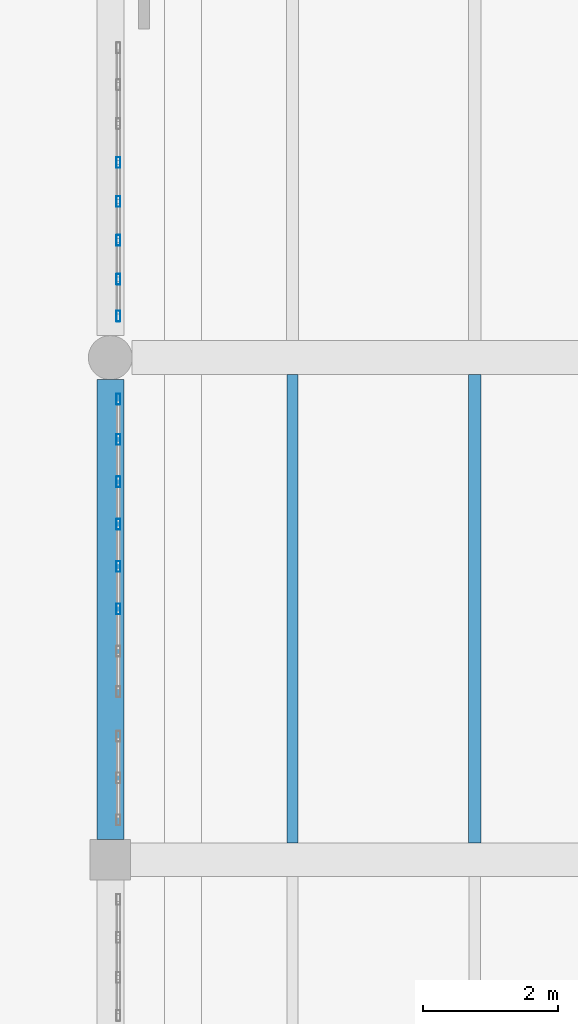
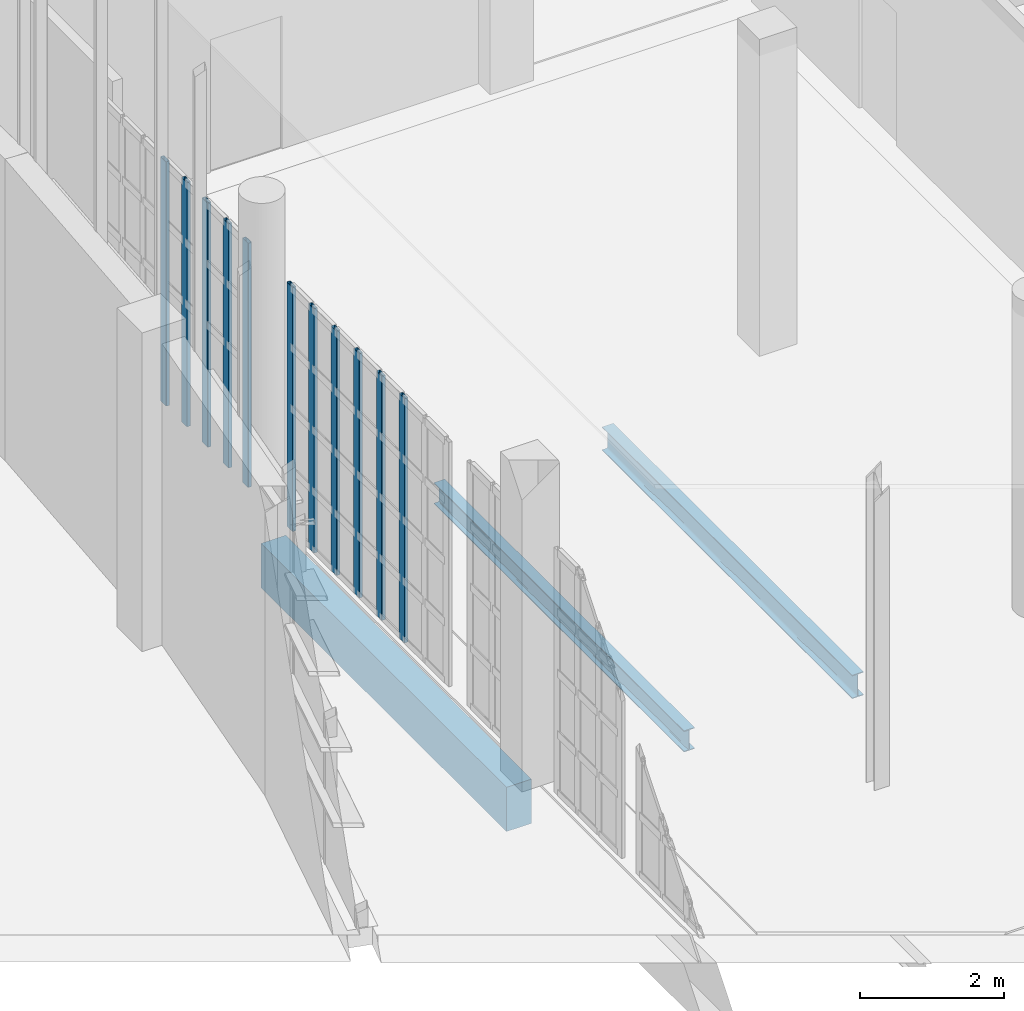
# One storey, part 231 of 372: 11 members, 3 beams, 2 elements without a shape of their own.
"""IFC4 building model written with IfcOpenShell, lengths in metres."""

from ifc_helpers import new_model, si_unit, direction, frame, origin, origin_2d, place, context, subcontext, project, spatial, rectangle, hollow_rectangle, i_section, extrude, material, material_profile, profile_set, type_object, element, aggregate, save


model = new_model("IFC4")

# Units and contexts
model_context = context("Model", 3, precision=1e-05, world=origin(), true_north=direction((0.0, 1.0)))
body_context = subcontext(model_context, "Body", "Model", "MODEL_VIEW")
ifc_project = project(units=[si_unit("LENGTHUNIT", "METRE"), si_unit("AREAUNIT", "SQUARE_METRE"), si_unit("VOLUMEUNIT", "CUBIC_METRE"), si_unit("PLANEANGLEUNIT", "RADIAN"), si_unit("MASSUNIT", "GRAM", prefix="KILO")], contexts=[model_context])

# Site, building, storey
site_placement = place(None, origin())
site = spatial("IfcSite", under=ifc_project, at=site_placement, CompositionType="ELEMENT")
building_placement = place(site_placement, origin())
building = spatial("IfcBuilding", under=site, at=building_placement, Name="Kaelora Sail Theatre", CompositionType="ELEMENT")
storey_placement = place(building_placement, origin())
storey = spatial("IfcBuildingStorey", under=building, at=storey_placement, Name="L00", CompositionType="ELEMENT", Elevation=0.0)

# Curtain wall, members
ifc_material_1 = material(Name="Anodised aluminium and solar-control low-E IGU", Category="aluminium")
curtain_wall_type = type_object("IfcCurtainWallType", Name="ARC-CW-CW-FOY2", PredefinedType="NOTDEFINED", material=ifc_material_1)
curtain_wall_1_placement = place(storey_placement, origin())
curtain_wall_1 = element("IfcCurtainWall", 1, at=curtain_wall_1_placement, inside=storey, type_object=curtain_wall_type, Name="East Interstitial Foyer West Glazed Return L00-03", PredefinedType="NOTDEFINED")
ifc_material_2 = material(Name="Anodised aluminium 6063-T6", Category="aluminium")
ifc_material_profile_1 = material_profile(ifc_material_2, hollow_rectangle(XDim=0.06005859375, YDim=0.159912109375, WallThickness=0.00390625, InnerFilletRadius=0.00390625, OuterFilletRadius=0.008056640625, at=origin_2d()), Name="ALU-MULL 60x160x4")
ifc_profile_set_1 = profile_set([ifc_material_profile_1], Name="Anodised aluminium 6063-T6")
member_type = type_object("IfcMemberType", Name="ARC-MEM-ML-160", PredefinedType="MULLION", material=ifc_profile_set_1)
member_1_placement = place(storey_placement, frame((106.919921875, 49.855712890625, 0.0), z_axis=(0.0, 0.0, 1.0), x_axis=(-1.0, 0.0, 0.0)))
member_1 = element("IfcMember", 2, at=member_1_placement, type_object=member_type, Name="CW-FOY2 mullion 3", PredefinedType="MULLION", context=body_context, shape_type="SweptSolid", body=[
    extrude(hollow_rectangle(XDim=0.06005859375, YDim=0.159912109375, WallThickness=0.00390625, InnerFilletRadius=0.00390625, OuterFilletRadius=0.008056640625, at=origin_2d()), origin(), (0.0, 0.0, 1.0), 4.136962890625),
])
member_2_placement = place(storey_placement, frame((106.919921875, 50.483642578125, 0.0), z_axis=(0.0, 0.0, 1.0), x_axis=(-1.0, 0.0, 0.0)))
member_2 = element("IfcMember", 3, at=member_2_placement, type_object=member_type, Name="CW-FOY2 mullion 4", PredefinedType="MULLION", context=body_context, shape_type="SweptSolid", body=[
    extrude(hollow_rectangle(XDim=0.06005859375, YDim=0.159912109375, WallThickness=0.00390625, InnerFilletRadius=0.00390625, OuterFilletRadius=0.008056640625, at=origin_2d()), origin(), (0.0, 0.0, 1.0), 4.136962890625),
])
member_3_placement = place(storey_placement, frame((106.919921875, 51.111328125, 0.0), z_axis=(0.0, 0.0, 1.0), x_axis=(-1.0, 0.0, 0.0)))
member_3 = element("IfcMember", 4, at=member_3_placement, type_object=member_type, Name="CW-FOY2 mullion 5", PredefinedType="MULLION", context=body_context, shape_type="SweptSolid", body=[
    extrude(hollow_rectangle(XDim=0.06005859375, YDim=0.159912109375, WallThickness=0.00390625, InnerFilletRadius=0.00390625, OuterFilletRadius=0.008056640625, at=origin_2d()), origin(), (0.0, 0.0, 1.0), 4.136962890625),
])
member_4_placement = place(storey_placement, frame((106.919921875, 51.7392578125, 0.0), z_axis=(0.0, 0.0, 1.0), x_axis=(-1.0, 0.0, 0.0)))
member_4 = element("IfcMember", 5, at=member_4_placement, type_object=member_type, Name="CW-FOY2 mullion 6", PredefinedType="MULLION", context=body_context, shape_type="SweptSolid", body=[
    extrude(hollow_rectangle(XDim=0.06005859375, YDim=0.159912109375, WallThickness=0.00390625, InnerFilletRadius=0.00390625, OuterFilletRadius=0.008056640625, at=origin_2d()), origin(), (0.0, 0.0, 1.0), 4.136962890625),
])
member_5_placement = place(storey_placement, frame((106.919921875, 52.3671875, 0.0), z_axis=(0.0, 0.0, 1.0), x_axis=(-1.0, 0.0, 0.0)))
member_5 = element("IfcMember", 6, at=member_5_placement, type_object=member_type, Name="CW-FOY2 mullion 7", PredefinedType="MULLION", context=body_context, shape_type="SweptSolid", body=[
    extrude(hollow_rectangle(XDim=0.06005859375, YDim=0.159912109375, WallThickness=0.00390625, InnerFilletRadius=0.00390625, OuterFilletRadius=0.008056640625, at=origin_2d()), origin(), (0.0, 0.0, 1.0), 4.136962890625),
])
member_6_placement = place(storey_placement, frame((106.919921875, 52.965087890625, 0.0), z_axis=(0.0, 0.0, 1.0), x_axis=(-1.0, 0.0, 0.0)))
member_6 = element("IfcMember", 7, at=member_6_placement, type_object=member_type, Name="CW-FOY2 mullion 8", PredefinedType="MULLION", context=body_context, shape_type="SweptSolid", body=[
    extrude(hollow_rectangle(XDim=0.06005859375, YDim=0.159912109375, WallThickness=0.00390625, InnerFilletRadius=0.00390625, OuterFilletRadius=0.008056640625, at=origin_2d()), origin(), (0.0, 0.0, 1.0), 4.136962890625),
])
aggregate(curtain_wall_1, [member_1, member_2, member_3, member_4, member_5, member_6])

curtain_wall_2_placement = place(storey_placement, origin())
curtain_wall_2 = element("IfcCurtainWall", 8, at=curtain_wall_2_placement, inside=storey, type_object=curtain_wall_type, Name="East Interstitial Foyer West Glazed Return L00-04", PredefinedType="NOTDEFINED")
member_7_placement = place(storey_placement, frame((106.919921875, 54.195068359375, 0.0), z_axis=(0.0, 0.0, 1.0), x_axis=(-1.0, 0.0, 0.0)))
member_7 = element("IfcMember", 9, at=member_7_placement, type_object=member_type, Name="CW-FOY2 mullion 1", PredefinedType="MULLION", context=body_context, shape_type="SweptSolid", body=[
    extrude(hollow_rectangle(XDim=0.06005859375, YDim=0.159912109375, WallThickness=0.00390625, InnerFilletRadius=0.00390625, OuterFilletRadius=0.008056640625, at=origin_2d()), origin(), (0.0, 0.0, 1.0), 4.136962890625),
])
member_8_placement = place(storey_placement, frame((106.919921875, 54.741455078125, 0.0), z_axis=(0.0, 0.0, 1.0), x_axis=(-1.0, 0.0, 0.0)))
member_8 = element("IfcMember", 10, at=member_8_placement, type_object=member_type, Name="CW-FOY2 mullion 2", PredefinedType="MULLION", context=body_context, shape_type="SweptSolid", body=[
    extrude(hollow_rectangle(XDim=0.06005859375, YDim=0.159912109375, WallThickness=0.00390625, InnerFilletRadius=0.00390625, OuterFilletRadius=0.008056640625, at=origin_2d()), origin(), (0.0, 0.0, 1.0), 4.136962890625),
])
member_9_placement = place(storey_placement, frame((106.919921875, 55.31787109375, 0.0), z_axis=(0.0, 0.0, 1.0), x_axis=(-1.0, 0.0, 0.0)))
member_9 = element("IfcMember", 11, at=member_9_placement, type_object=member_type, Name="CW-FOY2 mullion 3", PredefinedType="MULLION", context=body_context, shape_type="SweptSolid", body=[
    extrude(hollow_rectangle(XDim=0.06005859375, YDim=0.159912109375, WallThickness=0.00390625, InnerFilletRadius=0.00390625, OuterFilletRadius=0.008056640625, at=origin_2d()), origin(), (0.0, 0.0, 1.0), 4.136962890625),
])
member_10_placement = place(storey_placement, frame((106.919921875, 55.894287109375, 0.0), z_axis=(0.0, 0.0, 1.0), x_axis=(-1.0, 0.0, 0.0)))
member_10 = element("IfcMember", 12, at=member_10_placement, type_object=member_type, Name="CW-FOY2 mullion 4", PredefinedType="MULLION", context=body_context, shape_type="SweptSolid", body=[
    extrude(hollow_rectangle(XDim=0.06005859375, YDim=0.159912109375, WallThickness=0.00390625, InnerFilletRadius=0.00390625, OuterFilletRadius=0.008056640625, at=origin_2d()), origin(), (0.0, 0.0, 1.0), 4.136962890625),
])
member_11_placement = place(storey_placement, frame((106.919921875, 56.470703125, 0.0), z_axis=(0.0, 0.0, 1.0), x_axis=(-1.0, 0.0, 0.0)))
member_11 = element("IfcMember", 13, at=member_11_placement, type_object=member_type, Name="CW-FOY2 mullion 5", PredefinedType="MULLION", context=body_context, shape_type="SweptSolid", body=[
    extrude(hollow_rectangle(XDim=0.06005859375, YDim=0.159912109375, WallThickness=0.00390625, InnerFilletRadius=0.00390625, OuterFilletRadius=0.008056640625, at=origin_2d()), origin(), (0.0, 0.0, 1.0), 4.136962890625),
])
aggregate(curtain_wall_2, [member_7, member_8, member_9, member_10, member_11])

# Beams
ifc_material_3 = material(Name="Concrete C40/50", Category="concrete")
ifc_material_profile_2 = material_profile(ifc_material_3, rectangle(XDim=0.39990234375, YDim=0.75, at=origin_2d()), Name="RC-BM 400x750")
ifc_profile_set_2 = profile_set([ifc_material_profile_2], Name="Concrete C40/50")
beam_type_1 = type_object("IfcBeamType", Name="STR-BM-BM-RC4075", PredefinedType="BEAM", material=ifc_profile_set_2)
beam_1_placement = place(storey_placement, frame((106.800048828125, 46.43994140625, -0.695068359375), z_axis=(0.0, 1.0, 0.0), x_axis=(-1.0, 0.0, 0.0)))
element("IfcBeam", 14, at=beam_1_placement, inside=storey, type_object=beam_type_1, Name="Primary beam 14 G-H (L00)", PredefinedType="BEAM", context=body_context, shape_type="SweptSolid", body=[
    extrude(rectangle(XDim=0.39990234375, YDim=0.75, at=origin_2d()), origin(), (0.0, 0.0, 1.0), 6.81494140625),
])
ifc_material_4 = material(Name="Steel S355", Category="steel")
ifc_material_profile_3 = material_profile(ifc_material_4, i_section(OverallWidth=0.169921875, OverallDepth=0.360107421875, WebThickness=0.008056640625, FlangeThickness=0.0126953125, FilletRadius=0.01806640625, at=origin_2d()), Name="IPE 360")
ifc_profile_set_3 = profile_set([ifc_material_profile_3], Name="Steel S355")
beam_type_2 = type_object("IfcBeamType", Name="STR-BM-JS-IPE360", PredefinedType="JOIST", material=ifc_profile_set_3)
beam_2_placement = place(storey_placement, frame((109.5, 46.389892578125, -0.5), z_axis=(0.0, 1.0, 0.0), x_axis=(-1.0, 0.0, 0.0)))
element("IfcBeam", 15, at=beam_2_placement, inside=storey, type_object=beam_type_2, Name="Secondary floor joist 14/G-1 (L00)", PredefinedType="JOIST", context=body_context, shape_type="SweptSolid", body=[
    extrude(i_section(OverallWidth=0.169921875, OverallDepth=0.360107421875, WebThickness=0.008056640625, FlangeThickness=0.0126953125, FilletRadius=0.01806640625, at=origin_2d()), origin(), (0.0, 0.0, 1.0), 6.940185546875),
])
ifc_material_5 = material(Name="Steel S355", Category="steel")
ifc_material_profile_4 = material_profile(ifc_material_5, i_section(OverallWidth=0.179931640625, OverallDepth=0.39990234375, WebThickness=0.008544921875, FlangeThickness=0.013427734375, FilletRadius=0.02099609375, at=origin_2d()), Name="IPE 400")
ifc_profile_set_4 = profile_set([ifc_material_profile_4], Name="Steel S355")
beam_type_3 = type_object("IfcBeamType", Name="STR-BM-JS-IPE400", PredefinedType="JOIST", material=ifc_profile_set_4)
beam_3_placement = place(storey_placement, frame((112.199951171875, 46.389892578125, -0.52001953125), z_axis=(0.0, 1.0, 0.0), x_axis=(-1.0, 0.0, 0.0)))
element("IfcBeam", 16, at=beam_3_placement, inside=storey, type_object=beam_type_3, Name="Secondary floor joist 14/G-2 (L00)", PredefinedType="JOIST", context=body_context, shape_type="SweptSolid", body=[
    extrude(i_section(OverallWidth=0.179931640625, OverallDepth=0.39990234375, WebThickness=0.008544921875, FlangeThickness=0.013427734375, FilletRadius=0.02099609375, at=origin_2d()), origin(), (0.0, 0.0, 1.0), 6.940185546875),
])

save(model, "model.ifc")
